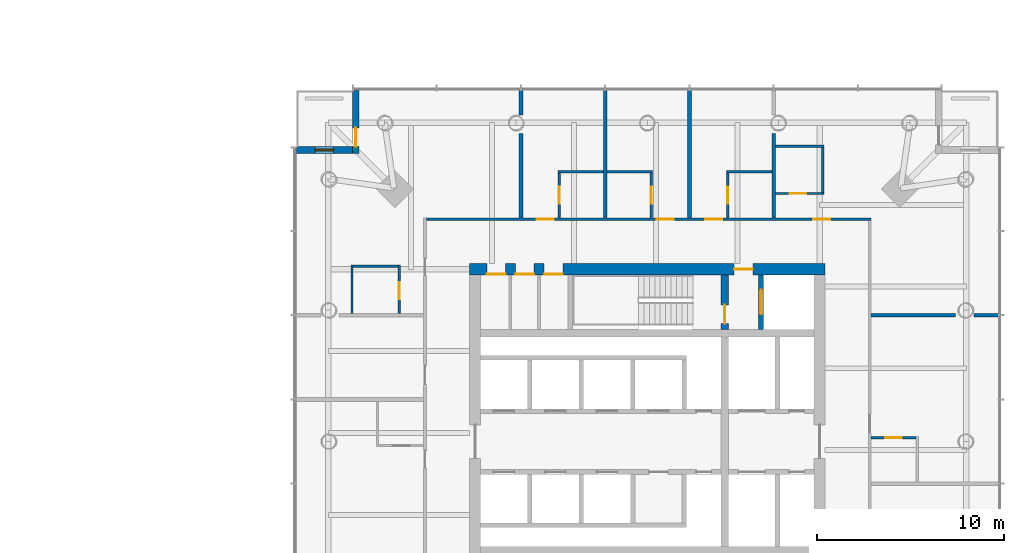
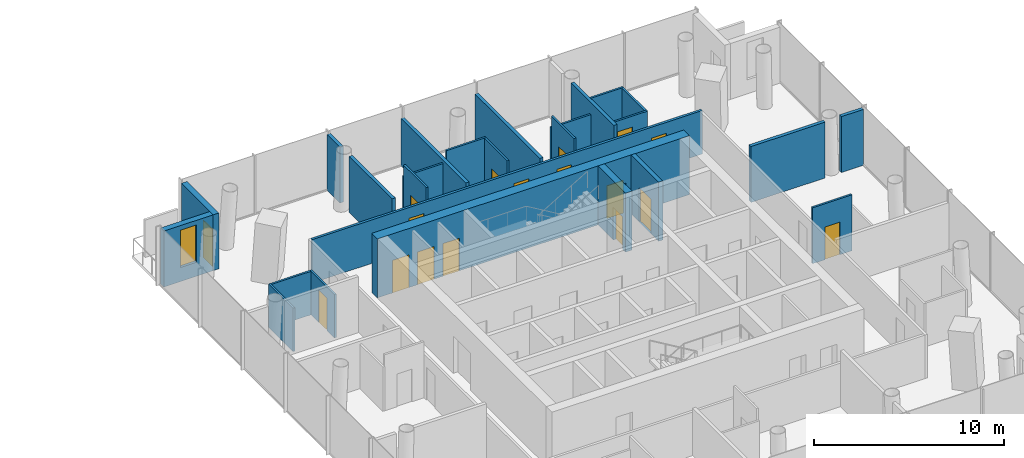
# One storey, part 15 of 26: 26 walls, 17 doors, 1 window, 18 openings.
"""IFC4 building model written with IfcOpenShell, lengths in metres."""

from ifc_helpers import new_model, si_unit, direction, frame, frame_2d, origin, place, context, subcontext, project, spatial, rectangle, extrude, material, layer, layer_set, type_object, element, fill, save


model = new_model("IFC4")

# Units and contexts
model_context = context("Model", 3, precision=1e-05, world=origin(), true_north=direction((0.0, 1.0)))
body_context = subcontext(model_context, "Body", "Model", "MODEL_VIEW")
ifc_project = project(units=[si_unit("LENGTHUNIT", "METRE"), si_unit("AREAUNIT", "SQUARE_METRE"), si_unit("VOLUMEUNIT", "CUBIC_METRE"), si_unit("PLANEANGLEUNIT", "RADIAN"), si_unit("MASSUNIT", "GRAM", prefix="KILO")], contexts=[model_context])

# Site, building, storey
site_placement = place(None, origin())
site = spatial("IfcSite", under=ifc_project, at=site_placement, CompositionType="ELEMENT")
building_placement = place(site_placement, origin())
building = spatial("IfcBuilding", under=site, at=building_placement, Name="Ostroluk Exchange", CompositionType="ELEMENT")
storey_placement = place(building_placement, frame((0.0, 0.0, 66.60009765625)))
storey = spatial("IfcBuildingStorey", under=building, at=storey_placement, Name="L16", CompositionType="ELEMENT", Elevation=66.60009765625)

# Wall, opening, door
ifc_material_1 = material(Name="Concrete C50/60", Category="concrete")
ifc_layer_1 = layer(ifc_material_1, 0.39990234375)
ifc_layer_set_1 = layer_set([ifc_layer_1], Name="Core cross wall 400 C50/60")
wall_type_1 = type_object("IfcWallType", Name="Core cross wall 400 C50/60", PredefinedType="SHEAR", material=ifc_layer_set_1)
wall_1_placement = place(storey_placement, frame((121.1298828125, 52.0, 0.0), z_axis=(0.0, 0.0, 1.0), x_axis=(0.0, 1.0, 0.0)))
wall_1 = element("IfcWall", 1, at=wall_1_placement, inside=storey, type_object=wall_type_1, Name="T2 core wall YE3", PredefinedType="SHEAR", context=body_context, shape_type="SweptSolid", body=[
    extrude(rectangle(XDim=2.89990234375, YDim=0.39990234375, at=frame_2d((1.449951171875, 0.0))), origin(), (0.0, 0.0, 1.0), 3.7998046875),
])
opening_1_placement = place(wall_1_placement, frame((0.300048828125, 0.0, 0.0)))
opening_1 = element("IfcOpeningElement", 2, at=opening_1_placement, cuts=wall_1, Name="Opening FD60", PredefinedType="OPENING", context=body_context, shape_type="SweptSolid", body=[
    extrude(rectangle(XDim=1.0, YDim=2.10009765625, at=frame_2d((0.5, 1.050048828125))), frame((0.0, 0.2099609375, 0.0), z_axis=(0.0, -1.0, 0.0), x_axis=(1.0, 0.0, 0.0)), (0.0, 0.0, 1.0), 0.419921875),
])
ifc_material_2 = material(Name="Steel", Category="steel")
door_type_1 = type_object("IfcDoorType", Name="Fire door EI 60 1000 x 2100", OperationType="SINGLE_SWING_LEFT", PredefinedType="DOOR", material=ifc_material_2)
door_1_placement = place(opening_1_placement, origin())
door_1 = element("IfcDoor", 3, at=door_1_placement, inside=storey, type_object=door_type_1, Name="Stair T2-S2 door", OperationType="SINGLE_SWING_LEFT", OverallHeight=2.10009765625, OverallWidth=1.0, PredefinedType="DOOR", context=body_context, shape_type="SweptSolid", body=[
    extrude(rectangle(XDim=1.0, YDim=2.10009765625, at=frame_2d((0.5, 1.050048828125))), frame((0.0, 0.02490234375, 0.0), z_axis=(0.0, -1.0, 0.0), x_axis=(1.0, 0.0, 0.0)), (0.0, 0.0, 1.0), 0.050048828125),
])
fill(opening_1, door_1)

ifc_material_3 = material(Name="Concrete C40/50", Category="concrete")
ifc_layer_2 = layer(ifc_material_3, 0.25)
ifc_layer_set_2 = layer_set([ifc_layer_2], Name="Core shaft wall 250")
wall_type_2 = type_object("IfcWallType", Name="Core shaft wall 250", PredefinedType="SHEAR", material=ifc_layer_set_2)
wall_2_placement = place(storey_placement, frame((123.074951171875, 52.0, 0.0), z_axis=(0.0, 0.0, 1.0), x_axis=(0.0, 1.0, 0.0)))
wall_2 = element("IfcWall", 4, at=wall_2_placement, inside=storey, type_object=wall_type_2, Name="Firefighting lift shaft wall", PredefinedType="SHEAR", context=body_context, shape_type="SweptSolid", body=[
    extrude(rectangle(XDim=2.89990234375, YDim=0.25, at=frame_2d((1.449951171875, 0.0))), origin(), (0.0, 0.0, 1.0), 3.7998046875),
])
opening_2_placement = place(wall_2_placement, frame((0.800048828125, 0.0, 0.0)))
opening_2 = element("IfcOpeningElement", 5, at=opening_2_placement, cuts=wall_2, Name="Opening LD2", PredefinedType="OPENING", context=body_context, shape_type="SweptSolid", body=[
    extrude(rectangle(XDim=1.300048828125, YDim=2.199951171875, at=frame_2d((0.64990234375, 1.10009765625))), frame((0.0, 0.135009765625, 0.0), z_axis=(0.0, -1.0, 0.0), x_axis=(1.0, 0.0, 0.0)), (0.0, 0.0, 1.0), 0.27001953125),
])
ifc_material_4 = material(Name="Stainless steel", Category="steel")
door_type_2 = type_object("IfcDoorType", Name="Lift landing door E 60 1300 x 2200", OperationType="DOUBLE_DOOR_SLIDING", PredefinedType="DOOR", material=ifc_material_4)
door_2_placement = place(opening_2_placement, origin())
door_2 = element("IfcDoor", 6, at=door_2_placement, inside=storey, type_object=door_type_2, Name="Lift HF2 landing door", OperationType="DOUBLE_DOOR_SLIDING", OverallHeight=2.199951171875, OverallWidth=1.300048828125, PredefinedType="DOOR", context=body_context, shape_type="SweptSolid", body=[
    extrude(rectangle(XDim=1.300048828125, YDim=2.199951171875, at=frame_2d((0.64990234375, 1.10009765625))), frame((0.0, 0.02490234375, 0.0), z_axis=(0.0, -1.0, 0.0), x_axis=(1.0, 0.0, 0.0)), (0.0, 0.0, 1.0), 0.050048828125),
])
fill(opening_2, door_2)

# Wall, openings, doors
ifc_material_5 = material(Name="Concrete C50/60", Category="concrete")
ifc_layer_3 = layer(ifc_material_5, 0.60009765625)
ifc_layer_set_3 = layer_set([ifc_layer_3], Name="Core wall 600 C50/60")
wall_type_3 = type_object("IfcWallType", Name="Core wall 600 C50/60", PredefinedType="SHEAR", material=ifc_layer_set_3)
wall_3_placement = place(storey_placement, frame((107.5, 55.199951171875, 0.0), z_axis=(0.0, 0.0, 1.0), x_axis=(1.0, 0.0, 0.0)))
wall_3 = element("IfcWall", 7, at=wall_3_placement, inside=storey, type_object=wall_type_3, Name="T2 core wall N", PredefinedType="SHEAR", context=body_context, shape_type="SweptSolid", body=[
    extrude(rectangle(XDim=19.0, YDim=0.60009765625, at=frame_2d((9.5, 0.0))), origin(), (0.0, 0.0, 1.0), 3.7998046875),
])
opening_3_placement = place(wall_3_placement, frame((14.139892578125, 0.0, 0.0)))
opening_3 = element("IfcOpeningElement", 8, at=opening_3_placement, cuts=wall_3, Name="Opening FD60", PredefinedType="OPENING", context=body_context, shape_type="SweptSolid", body=[
    extrude(rectangle(XDim=1.0, YDim=2.10009765625, at=frame_2d((0.5, 1.050048828125))), frame((0.0, 0.31005859375, 0.0), z_axis=(0.0, -1.0, 0.0), x_axis=(1.0, 0.0, 0.0)), (0.0, 0.0, 1.0), 0.6201171875),
])
opening_4_placement = place(wall_3_placement, frame((0.930908203125, 0.0, 0.0)))
opening_4 = element("IfcOpeningElement", 9, at=opening_4_placement, cuts=wall_3, Name="Opening FD60", PredefinedType="OPENING", context=body_context, shape_type="SweptSolid", body=[
    extrude(rectangle(XDim=1.0, YDim=2.10009765625, at=frame_2d((0.5, 1.050048828125))), frame((0.0, 0.31005859375, 0.0), z_axis=(0.0, -1.0, 0.0), x_axis=(1.0, 0.0, 0.0)), (0.0, 0.0, 1.0), 0.6201171875),
])
opening_5_placement = place(wall_3_placement, frame((2.4482421875, 0.0, 0.0)))
opening_5 = element("IfcOpeningElement", 10, at=opening_5_placement, cuts=wall_3, Name="Opening FD60", PredefinedType="OPENING", context=body_context, shape_type="SweptSolid", body=[
    extrude(rectangle(XDim=1.0, YDim=2.10009765625, at=frame_2d((0.5, 1.050048828125))), frame((0.0, 0.31005859375, 0.0), z_axis=(0.0, -1.0, 0.0), x_axis=(1.0, 0.0, 0.0)), (0.0, 0.0, 1.0), 0.6201171875),
])
opening_6_placement = place(wall_3_placement, frame((3.982666015625, 0.0, 0.0)))
opening_6 = element("IfcOpeningElement", 11, at=opening_6_placement, cuts=wall_3, Name="Opening FD60", PredefinedType="OPENING", context=body_context, shape_type="SweptSolid", body=[
    extrude(rectangle(XDim=1.0, YDim=2.10009765625, at=frame_2d((0.5, 1.050048828125))), frame((0.0, 0.31005859375, 0.0), z_axis=(0.0, -1.0, 0.0), x_axis=(1.0, 0.0, 0.0)), (0.0, 0.0, 1.0), 0.6201171875),
])
door_3_placement = place(opening_3_placement, origin())
door_3 = element("IfcDoor", 12, at=door_3_placement, inside=storey, type_object=door_type_1, Name="Firefighting lobby door", OperationType="SINGLE_SWING_RIGHT", OverallHeight=2.10009765625, OverallWidth=1.0, PredefinedType="DOOR", context=body_context, shape_type="SweptSolid", body=[
    extrude(rectangle(XDim=1.0, YDim=2.10009765625, at=frame_2d((0.5, 1.050048828125))), frame((0.0, 0.02490234375, 0.0), z_axis=(0.0, -1.0, 0.0), x_axis=(1.0, 0.0, 0.0)), (0.0, 0.0, 1.0), 0.050048828125),
])
fill(opening_3, door_3)
door_4_placement = place(opening_4_placement, origin())
door_4 = element("IfcDoor", 13, at=door_4_placement, inside=storey, type_object=door_type_1, Name="Luggage store door", OperationType="SINGLE_SWING_LEFT", OverallHeight=2.10009765625, OverallWidth=1.0, PredefinedType="DOOR", context=body_context, shape_type="SweptSolid", body=[
    extrude(rectangle(XDim=1.0, YDim=2.10009765625, at=frame_2d((0.5, 1.050048828125))), frame((0.0, -0.23974609375, 0.0), z_axis=(0.0, -1.0, 0.0), x_axis=(1.0, 0.0, 0.0)), (0.0, 0.0, 1.0), 0.050048828125),
])
fill(opening_4, door_4)
door_5_placement = place(opening_5_placement, origin())
door_5 = element("IfcDoor", 14, at=door_5_placement, inside=storey, type_object=door_type_1, Name="Comms room door", OperationType="SINGLE_SWING_LEFT", OverallHeight=2.10009765625, OverallWidth=1.0, PredefinedType="DOOR", context=body_context, shape_type="SweptSolid", body=[
    extrude(rectangle(XDim=1.0, YDim=2.10009765625, at=frame_2d((0.5, 1.050048828125))), frame((0.0, -0.23974609375, 0.0), z_axis=(0.0, -1.0, 0.0), x_axis=(1.0, 0.0, 0.0)), (0.0, 0.0, 1.0), 0.050048828125),
])
fill(opening_5, door_5)
door_6_placement = place(opening_6_placement, origin())
door_6 = element("IfcDoor", 15, at=door_6_placement, inside=storey, type_object=door_type_1, Name="Linen store door", OperationType="SINGLE_SWING_LEFT", OverallHeight=2.10009765625, OverallWidth=1.0, PredefinedType="DOOR", context=body_context, shape_type="SweptSolid", body=[
    extrude(rectangle(XDim=1.0, YDim=2.10009765625, at=frame_2d((0.5, 1.050048828125))), frame((0.0, -0.23974609375, 0.0), z_axis=(0.0, -1.0, 0.0), x_axis=(1.0, 0.0, 0.0)), (0.0, 0.0, 1.0), 0.050048828125),
])
fill(opening_6, door_6)

# Wall, opening, door
ifc_material_6 = material(Name="Limestone", Category="masonry")
ifc_layer_4 = layer(ifc_material_6, 0.35009765625)
ifc_layer_set_4 = layer_set([ifc_layer_4], Name="Limestone facade wall 350")
wall_type_4 = type_object("IfcWallType", Name="Limestone facade wall 350", PredefinedType="SOLIDWALL", material=ifc_layer_set_4)
wall_4_placement = place(storey_placement, frame((101.425048828125, 64.75, 0.0), z_axis=(0.0, 0.0, 1.0), x_axis=(0.0, -1.0, 0.0)))
wall_4 = element("IfcWall", 16, at=wall_4_placement, inside=storey, type_object=wall_type_4, Name="Hotel tower NW corner wall L16 a", PredefinedType="SOLIDWALL", context=body_context, shape_type="SweptSolid", body=[
    extrude(rectangle(XDim=3.35009765625, YDim=0.35009765625, at=frame_2d((1.675048828125, 0.0))), origin(), (0.0, 0.0, 1.0), 3.599853515625),
])
opening_7_placement = place(wall_4_placement, frame((2.0, 0.0, 0.0)))
opening_7 = element("IfcOpeningElement", 17, at=opening_7_placement, cuts=wall_4, Name="Opening D-B1", PredefinedType="OPENING", context=body_context, shape_type="SweptSolid", body=[
    extrude(rectangle(XDim=1.0, YDim=2.39990234375, at=frame_2d((0.5, 1.199951171875))), frame((0.0, 0.18505859375, 0.0), z_axis=(0.0, -1.0, 0.0), x_axis=(1.0, 0.0, 0.0)), (0.0, 0.0, 1.0), 0.3701171875),
])
ifc_material_7 = material(Name="Bronze framed glazed door", Category="aluminium")
door_type_3 = type_object("IfcDoorType", Name="Balcony door 1000 x 2400", OperationType="SINGLE_SWING_LEFT", PredefinedType="DOOR", material=ifc_material_7)
door_7_placement = place(opening_7_placement, origin())
door_7 = element("IfcDoor", 18, at=door_7_placement, inside=storey, type_object=door_type_3, Name="Hotel tower NW balcony door L16", OperationType="SINGLE_SWING_RIGHT", OverallHeight=2.39990234375, OverallWidth=1.0, PredefinedType="DOOR", context=body_context, shape_type="SweptSolid", body=[
    extrude(rectangle(XDim=1.0, YDim=2.39990234375, at=frame_2d((0.5, 1.199951171875))), frame((0.0, 0.02490234375, 0.0), z_axis=(0.0, -1.0, 0.0), x_axis=(1.0, 0.0, 0.0)), (0.0, 0.0, 1.0), 0.050048828125),
])
fill(opening_7, door_7)

# Wall, opening, window
wall_5_placement = place(storey_placement, frame((101.25, 61.574951171875, 0.0), z_axis=(0.0, 0.0, 1.0), x_axis=(-1.0, 0.0, 0.0)))
wall_5 = element("IfcWall", 19, at=wall_5_placement, inside=storey, type_object=wall_type_4, Name="Hotel tower NW corner wall L16 b", PredefinedType="SOLIDWALL", context=body_context, shape_type="SweptSolid", body=[
    extrude(rectangle(XDim=3.0, YDim=0.35009765625, at=frame_2d((1.5, 0.0))), origin(), (0.0, 0.0, 1.0), 3.599853515625),
])
opening_8_placement = place(wall_5_placement, frame((1.0, 0.0, 0.89990234375)))
opening_8 = element("IfcOpeningElement", 20, at=opening_8_placement, cuts=wall_5, Name="Opening WN-L3", PredefinedType="OPENING", context=body_context, shape_type="SweptSolid", body=[
    extrude(rectangle(XDim=1.0, YDim=2.39990234375, at=frame_2d((0.5, 1.199951171875))), frame((0.0, 0.18505859375, 0.0), z_axis=(0.0, -1.0, 0.0), x_axis=(1.0, 0.0, 0.0)), (0.0, 0.0, 1.0), 0.3701171875),
])
ifc_material_8 = material(Name="Laminated clear glass", Category="glass")
window_type = type_object("IfcWindowType", Name="Hotel lancet window 1000 x 2400", PartitioningType="SINGLE_PANEL", PredefinedType="WINDOW", material=ifc_material_8)
window_placement = place(opening_8_placement, origin())
window = element("IfcWindow", 21, at=window_placement, inside=storey, type_object=window_type, Name="Hotel tower NW lancet window L16", OverallHeight=2.39990234375, OverallWidth=1.0, PartitioningType="SINGLE_PANEL", PredefinedType="WINDOW", context=body_context, shape_type="SweptSolid", body=[
    extrude(rectangle(XDim=1.0, YDim=2.39990234375, at=frame_2d((0.5, 1.199951171875))), frame((0.0, 0.030029296875, 0.0), z_axis=(0.0, -1.0, 0.0), x_axis=(1.0, 0.0, 0.0)), (0.0, 0.0, 1.0), 0.06005859375),
])
fill(opening_8, window)

# Wall, opening, door
ifc_material_9 = material(Name="Gypsum plasterboard partition, moisture resistant", Category="gypsum")
ifc_layer_5 = layer(ifc_material_9, 0.1201171875)
ifc_layer_set_5 = layer_set([ifc_layer_5], Name="Plasterboard en-suite wall 120")
wall_type_5 = type_object("IfcWallType", Name="Plasterboard en-suite wall 120", PredefinedType="PARTITIONING", material=ifc_layer_set_5)
wall_6_placement = place(storey_placement, frame((128.949951171875, 46.2099609375, 0.0), z_axis=(0.0, 0.0, 1.0), x_axis=(1.0, 0.0, 0.0)))
wall_6 = element("IfcWall", 22, at=wall_6_placement, inside=storey, type_object=wall_type_5, Name="En-suite wall", PredefinedType="PARTITIONING", context=body_context, shape_type="SweptSolid", body=[
    extrude(rectangle(XDim=2.400146484375, YDim=0.1201171875, at=frame_2d((1.2001953125, 0.0))), origin(), (0.0, 0.0, 1.0), 3.599853515625),
])
opening_9_placement = place(wall_6_placement, frame((0.75, 0.0, 0.0)))
opening_9 = element("IfcOpeningElement", 23, at=opening_9_placement, cuts=wall_6, Name="Opening D-02", PredefinedType="OPENING", context=body_context, shape_type="SweptSolid", body=[
    extrude(rectangle(XDim=0.89990234375, YDim=2.10009765625, at=frame_2d((0.449951171875, 1.050048828125))), frame((0.0, 0.070068359375, 0.0), z_axis=(0.0, -1.0, 0.0), x_axis=(1.0, 0.0, 0.0)), (0.0, 0.0, 1.0), 0.14013671875),
])
ifc_material_10 = material(Name="Timber", Category="wood")
door_type_4 = type_object("IfcDoorType", Name="En-suite door 900 x 2100", OperationType="SINGLE_SWING_LEFT", PredefinedType="DOOR", material=ifc_material_10)
door_8_placement = place(opening_9_placement, origin())
door_8 = element("IfcDoor", 24, at=door_8_placement, inside=storey, type_object=door_type_4, Name="En-suite door 1602", OperationType="SINGLE_SWING_LEFT", OverallHeight=2.10009765625, OverallWidth=0.89990234375, PredefinedType="DOOR", context=body_context, shape_type="SweptSolid", body=[
    extrude(rectangle(XDim=0.89990234375, YDim=2.10009765625, at=frame_2d((0.449951171875, 1.050048828125))), frame((0.0, 0.02490234375, 0.0), z_axis=(0.0, -1.0, 0.0), x_axis=(1.0, 0.0, 0.0)), (0.0, 0.0, 1.0), 0.050048828125),
])
fill(opening_9, door_8)

wall_7_placement = place(storey_placement, frame((123.85009765625, 59.25, 0.0), z_axis=(0.0, 0.0, 1.0), x_axis=(1.0, 0.0, 0.0)))
wall_7 = element("IfcWall", 25, at=wall_7_placement, inside=storey, type_object=wall_type_5, Name="En-suite wall", PredefinedType="PARTITIONING", context=body_context, shape_type="SweptSolid", body=[
    extrude(rectangle(XDim=2.579833984375, YDim=0.1201171875, at=frame_2d((1.2900390625, 0.0))), origin(), (0.0, 0.0, 1.0), 2.7998046875),
])
opening_10_placement = place(wall_7_placement, frame((0.75, 0.0, 0.0)))
opening_10 = element("IfcOpeningElement", 26, at=opening_10_placement, cuts=wall_7, Name="Opening D-02", PredefinedType="OPENING", context=body_context, shape_type="SweptSolid", body=[
    extrude(rectangle(XDim=0.89990234375, YDim=2.10009765625, at=frame_2d((0.449951171875, 1.050048828125))), frame((0.0, 0.070068359375, 0.0), z_axis=(0.0, -1.0, 0.0), x_axis=(1.0, 0.0, 0.0)), (0.0, 0.0, 1.0), 0.14013671875),
])
door_9_placement = place(opening_10_placement, origin())
door_9 = element("IfcDoor", 27, at=door_9_placement, inside=storey, type_object=door_type_4, Name="En-suite door 1603", OperationType="SINGLE_SWING_LEFT", OverallHeight=2.10009765625, OverallWidth=0.89990234375, PredefinedType="DOOR", context=body_context, shape_type="SweptSolid", body=[
    extrude(rectangle(XDim=0.89990234375, YDim=2.10009765625, at=frame_2d((0.449951171875, 1.050048828125))), frame((0.0, 0.02490234375, 0.0), z_axis=(0.0, -1.0, 0.0), x_axis=(1.0, 0.0, 0.0)), (0.0, 0.0, 1.0), 0.050048828125),
])
fill(opening_10, door_9)

# Walls
wall_8_placement = place(storey_placement, frame((123.85009765625, 61.77001953125, 0.0), z_axis=(0.0, 0.0, 1.0), x_axis=(1.0, 0.0, 0.0)))
element("IfcWall", 28, at=wall_8_placement, inside=storey, type_object=wall_type_5, Name="En-suite wall", PredefinedType="PARTITIONING", context=body_context, shape_type="SweptSolid", body=[
    extrude(rectangle(XDim=2.579833984375, YDim=0.1201171875, at=frame_2d((1.2900390625, 0.0))), origin(), (0.0, 0.0, 1.0), 2.7998046875),
])
wall_9_placement = place(storey_placement, frame((126.3701171875, 59.31005859375, 0.0), z_axis=(0.0, 0.0, 1.0), x_axis=(0.0, 1.0, 0.0)))
element("IfcWall", 29, at=wall_9_placement, inside=storey, type_object=wall_type_5, Name="En-suite wall", PredefinedType="PARTITIONING", context=body_context, shape_type="SweptSolid", body=[
    extrude(rectangle(XDim=2.39990234375, YDim=0.1201171875, at=frame_2d((1.199951171875, 0.0))), origin(), (0.0, 0.0, 1.0), 2.7998046875),
])
wall_10_placement = place(storey_placement, frame((123.64990234375, 60.409912109375, 0.0), z_axis=(0.0, 0.0, 1.0), x_axis=(-1.0, 0.0, 0.0)))
element("IfcWall", 30, at=wall_10_placement, inside=storey, type_object=wall_type_5, Name="En-suite wall", PredefinedType="PARTITIONING", context=body_context, shape_type="SweptSolid", body=[
    extrude(rectangle(XDim=2.419921875, YDim=0.1201171875, at=frame_2d((1.2099609375, 0.0))), origin(), (0.0, 0.0, 1.0), 2.846923828125),
])

# Wall, opening, door
wall_11_placement = place(storey_placement, frame((121.2900390625, 57.949951171875, 0.0), z_axis=(0.0, 0.0, 1.0), x_axis=(0.0, 1.0, 0.0)))
wall_11 = element("IfcWall", 31, at=wall_11_placement, inside=storey, type_object=wall_type_5, Name="En-suite wall", PredefinedType="PARTITIONING", context=body_context, shape_type="SweptSolid", body=[
    extrude(rectangle(XDim=2.400146484375, YDim=0.1201171875, at=frame_2d((1.2001953125, 0.0))), origin(), (0.0, 0.0, 1.0), 3.599853515625),
])
opening_11_placement = place(wall_11_placement, frame((0.75, 0.0, 0.0)))
opening_11 = element("IfcOpeningElement", 32, at=opening_11_placement, cuts=wall_11, Name="Opening D-02", PredefinedType="OPENING", context=body_context, shape_type="SweptSolid", body=[
    extrude(rectangle(XDim=0.89990234375, YDim=2.10009765625, at=frame_2d((0.449951171875, 1.050048828125))), frame((0.0, 0.070068359375, 0.0), z_axis=(0.0, -1.0, 0.0), x_axis=(1.0, 0.0, 0.0)), (0.0, 0.0, 1.0), 0.14013671875),
])
door_10_placement = place(opening_11_placement, origin())
door_10 = element("IfcDoor", 33, at=door_10_placement, inside=storey, type_object=door_type_4, Name="En-suite door 1604", OperationType="SINGLE_SWING_RIGHT", OverallHeight=2.10009765625, OverallWidth=0.89990234375, PredefinedType="DOOR", context=body_context, shape_type="SweptSolid", body=[
    extrude(rectangle(XDim=0.89990234375, YDim=2.10009765625, at=frame_2d((0.449951171875, 1.050048828125))), frame((0.0, 0.02490234375, 0.0), z_axis=(0.0, -1.0, 0.0), x_axis=(1.0, 0.0, 0.0)), (0.0, 0.0, 1.0), 0.050048828125),
])
fill(opening_11, door_10)

# Wall
wall_12_placement = place(storey_placement, frame((117.27001953125, 60.409912109375, 0.0), z_axis=(0.0, 0.0, 1.0), x_axis=(-1.0, 0.0, 0.0)))
element("IfcWall", 34, at=wall_12_placement, inside=storey, type_object=wall_type_5, Name="En-suite wall", PredefinedType="PARTITIONING", context=body_context, shape_type="SweptSolid", body=[
    extrude(rectangle(XDim=2.419921875, YDim=0.1201171875, at=frame_2d((1.2099609375, 0.0))), origin(), (0.0, 0.0, 1.0), 3.599853515625),
])

# Wall, opening, door
wall_13_placement = place(storey_placement, frame((117.2099609375, 57.949951171875, 0.0), z_axis=(0.0, 0.0, 1.0), x_axis=(0.0, 1.0, 0.0)))
wall_13 = element("IfcWall", 35, at=wall_13_placement, inside=storey, type_object=wall_type_5, Name="En-suite wall", PredefinedType="PARTITIONING", context=body_context, shape_type="SweptSolid", body=[
    extrude(rectangle(XDim=2.400146484375, YDim=0.1201171875, at=frame_2d((1.2001953125, 0.0))), origin(), (0.0, 0.0, 1.0), 3.599853515625),
])
opening_12_placement = place(wall_13_placement, frame((0.75, 0.0, 0.0)))
opening_12 = element("IfcOpeningElement", 36, at=opening_12_placement, cuts=wall_13, Name="Opening D-02", PredefinedType="OPENING", context=body_context, shape_type="SweptSolid", body=[
    extrude(rectangle(XDim=0.89990234375, YDim=2.10009765625, at=frame_2d((0.449951171875, 1.050048828125))), frame((0.0, 0.070068359375, 0.0), z_axis=(0.0, -1.0, 0.0), x_axis=(1.0, 0.0, 0.0)), (0.0, 0.0, 1.0), 0.14013671875),
])
door_11_placement = place(opening_12_placement, origin())
door_11 = element("IfcDoor", 37, at=door_11_placement, inside=storey, type_object=door_type_4, Name="En-suite door 1605", OperationType="SINGLE_SWING_RIGHT", OverallHeight=2.10009765625, OverallWidth=0.89990234375, PredefinedType="DOOR", context=body_context, shape_type="SweptSolid", body=[
    extrude(rectangle(XDim=0.89990234375, YDim=2.10009765625, at=frame_2d((0.449951171875, 1.050048828125))), frame((0.0, 0.02490234375, 0.0), z_axis=(0.0, -1.0, 0.0), x_axis=(1.0, 0.0, 0.0)), (0.0, 0.0, 1.0), 0.050048828125),
])
fill(opening_12, door_11)

# Wall
wall_14_placement = place(storey_placement, frame((114.64990234375, 60.409912109375, 0.0), z_axis=(0.0, 0.0, 1.0), x_axis=(-1.0, 0.0, 0.0)))
element("IfcWall", 38, at=wall_14_placement, inside=storey, type_object=wall_type_5, Name="En-suite wall", PredefinedType="PARTITIONING", context=body_context, shape_type="SweptSolid", body=[
    extrude(rectangle(XDim=2.419921875, YDim=0.1201171875, at=frame_2d((1.2099609375, 0.0))), origin(), (0.0, 0.0, 1.0), 2.846923828125),
])

# Wall, opening, door
wall_15_placement = place(storey_placement, frame((112.2900390625, 57.949951171875, 0.0), z_axis=(0.0, 0.0, 1.0), x_axis=(0.0, 1.0, 0.0)))
wall_15 = element("IfcWall", 39, at=wall_15_placement, inside=storey, type_object=wall_type_5, Name="En-suite wall", PredefinedType="PARTITIONING", context=body_context, shape_type="SweptSolid", body=[
    extrude(rectangle(XDim=2.400146484375, YDim=0.1201171875, at=frame_2d((1.2001953125, 0.0))), origin(), (0.0, 0.0, 1.0), 3.599853515625),
])
opening_13_placement = place(wall_15_placement, frame((0.75, 0.0, 0.0)))
opening_13 = element("IfcOpeningElement", 40, at=opening_13_placement, cuts=wall_15, Name="Opening D-02", PredefinedType="OPENING", context=body_context, shape_type="SweptSolid", body=[
    extrude(rectangle(XDim=0.89990234375, YDim=2.10009765625, at=frame_2d((0.449951171875, 1.050048828125))), frame((0.0, 0.070068359375, 0.0), z_axis=(0.0, -1.0, 0.0), x_axis=(1.0, 0.0, 0.0)), (0.0, 0.0, 1.0), 0.14013671875),
])
door_12_placement = place(opening_13_placement, origin())
door_12 = element("IfcDoor", 41, at=door_12_placement, inside=storey, type_object=door_type_4, Name="En-suite door 1606", OperationType="SINGLE_SWING_RIGHT", OverallHeight=2.10009765625, OverallWidth=0.89990234375, PredefinedType="DOOR", context=body_context, shape_type="SweptSolid", body=[
    extrude(rectangle(XDim=0.89990234375, YDim=2.10009765625, at=frame_2d((0.449951171875, 1.050048828125))), frame((0.0, 0.02490234375, 0.0), z_axis=(0.0, -1.0, 0.0), x_axis=(1.0, 0.0, 0.0)), (0.0, 0.0, 1.0), 0.050048828125),
])
fill(opening_13, door_12)

wall_16_placement = place(storey_placement, frame((103.75, 52.85009765625, 0.0), z_axis=(0.0, 0.0, 1.0), x_axis=(0.0, 1.0, 0.0)))
wall_16 = element("IfcWall", 42, at=wall_16_placement, inside=storey, type_object=wall_type_5, Name="En-suite wall", PredefinedType="PARTITIONING", context=body_context, shape_type="SweptSolid", body=[
    extrude(rectangle(XDim=2.579833984375, YDim=0.1201171875, at=frame_2d((1.2900390625, 0.0))), origin(), (0.0, 0.0, 1.0), 2.7998046875),
])
opening_14_placement = place(wall_16_placement, frame((0.75, 0.0, 0.0)))
opening_14 = element("IfcOpeningElement", 43, at=opening_14_placement, cuts=wall_16, Name="Opening D-02", PredefinedType="OPENING", context=body_context, shape_type="SweptSolid", body=[
    extrude(rectangle(XDim=0.89990234375, YDim=2.10009765625, at=frame_2d((0.449951171875, 1.050048828125))), frame((0.0, 0.070068359375, 0.0), z_axis=(0.0, -1.0, 0.0), x_axis=(1.0, 0.0, 0.0)), (0.0, 0.0, 1.0), 0.14013671875),
])
door_13_placement = place(opening_14_placement, origin())
door_13 = element("IfcDoor", 44, at=door_13_placement, inside=storey, type_object=door_type_4, Name="En-suite door 1607", OperationType="SINGLE_SWING_LEFT", OverallHeight=2.10009765625, OverallWidth=0.89990234375, PredefinedType="DOOR", context=body_context, shape_type="SweptSolid", body=[
    extrude(rectangle(XDim=0.89990234375, YDim=2.10009765625, at=frame_2d((0.449951171875, 1.050048828125))), frame((0.0, 0.02490234375, 0.0), z_axis=(0.0, -1.0, 0.0), x_axis=(1.0, 0.0, 0.0)), (0.0, 0.0, 1.0), 0.050048828125),
])
fill(opening_14, door_13)

# Walls
wall_17_placement = place(storey_placement, frame((101.22998046875, 52.85009765625, 0.0), z_axis=(0.0, 0.0, 1.0), x_axis=(0.0, 1.0, 0.0)))
element("IfcWall", 45, at=wall_17_placement, inside=storey, type_object=wall_type_5, Name="En-suite wall", PredefinedType="PARTITIONING", context=body_context, shape_type="SweptSolid", body=[
    extrude(rectangle(XDim=2.579833984375, YDim=0.1201171875, at=frame_2d((1.2900390625, 0.0))), origin(), (0.0, 0.0, 1.0), 2.7998046875),
])
wall_18_placement = place(storey_placement, frame((103.68994140625, 55.3701171875, 0.0), z_axis=(0.0, 0.0, 1.0), x_axis=(-1.0, 0.0, 0.0)))
element("IfcWall", 46, at=wall_18_placement, inside=storey, type_object=wall_type_5, Name="En-suite wall", PredefinedType="PARTITIONING", context=body_context, shape_type="SweptSolid", body=[
    extrude(rectangle(XDim=2.39990234375, YDim=0.1201171875, at=frame_2d((1.199951171875, 0.0))), origin(), (0.0, 0.0, 1.0), 2.7998046875),
])

# Wall, openings, doors
ifc_material_11 = material(Name="Gypsum plasterboard partition", Category="gypsum")
ifc_layer_6 = layer(ifc_material_11, 0.14990234375)
ifc_layer_set_6 = layer_set([ifc_layer_6], Name="Plasterboard partition 150")
wall_type_6 = type_object("IfcWallType", Name="Plasterboard partition 150", PredefinedType="PARTITIONING", material=ifc_layer_set_6)
wall_19_placement = place(storey_placement, frame((128.949951171875, 57.875, 0.0), z_axis=(0.0, 0.0, 1.0), x_axis=(-1.0, 0.0, 0.0)))
wall_19 = element("IfcWall", 47, at=wall_19_placement, inside=storey, type_object=wall_type_6, Name="Corridor wall", PredefinedType="PARTITIONING", context=body_context, shape_type="SweptSolid", body=[
    extrude(rectangle(XDim=23.75, YDim=0.14990234375, at=frame_2d((11.875, 0.0))), origin(), (0.0, 0.0, 1.0), 2.7998046875),
])
opening_15_placement = place(wall_19_placement, frame((2.175048828125, 0.0, 0.0)))
opening_15 = element("IfcOpeningElement", 48, at=opening_15_placement, cuts=wall_19, Name="Opening D-01", PredefinedType="OPENING", context=body_context, shape_type="SweptSolid", body=[
    extrude(rectangle(XDim=0.89990234375, YDim=2.10009765625, at=frame_2d((0.449951171875, 1.050048828125))), frame((0.0, 0.0849609375, 0.0), z_axis=(0.0, -1.0, 0.0), x_axis=(1.0, 0.0, 0.0)), (0.0, 0.0, 1.0), 0.169921875),
])
opening_16_placement = place(wall_19_placement, frame((7.949951171875, 0.0, 0.0)))
opening_16 = element("IfcOpeningElement", 49, at=opening_16_placement, cuts=wall_19, Name="Opening D-01", PredefinedType="OPENING", context=body_context, shape_type="SweptSolid", body=[
    extrude(rectangle(XDim=0.89990234375, YDim=2.10009765625, at=frame_2d((0.449951171875, 1.050048828125))), frame((0.0, 0.0849609375, 0.0), z_axis=(0.0, -1.0, 0.0), x_axis=(1.0, 0.0, 0.0)), (0.0, 0.0, 1.0), 0.169921875),
])
opening_17_placement = place(wall_19_placement, frame((10.550048828125, 0.0, 0.0)))
opening_17 = element("IfcOpeningElement", 50, at=opening_17_placement, cuts=wall_19, Name="Opening D-01", PredefinedType="OPENING", context=body_context, shape_type="SweptSolid", body=[
    extrude(rectangle(XDim=0.89990234375, YDim=2.10009765625, at=frame_2d((0.449951171875, 1.050048828125))), frame((0.0, 0.0849609375, 0.0), z_axis=(0.0, -1.0, 0.0), x_axis=(1.0, 0.0, 0.0)), (0.0, 0.0, 1.0), 0.169921875),
])
opening_18_placement = place(wall_19_placement, frame((16.949951171875, 0.0, 0.0)))
opening_18 = element("IfcOpeningElement", 51, at=opening_18_placement, cuts=wall_19, Name="Opening D-01", PredefinedType="OPENING", context=body_context, shape_type="SweptSolid", body=[
    extrude(rectangle(XDim=0.89990234375, YDim=2.10009765625, at=frame_2d((0.449951171875, 1.050048828125))), frame((0.0, 0.0849609375, 0.0), z_axis=(0.0, -1.0, 0.0), x_axis=(1.0, 0.0, 0.0)), (0.0, 0.0, 1.0), 0.169921875),
])
ifc_material_12 = material(Name="Timber", Category="wood")
door_type_5 = type_object("IfcDoorType", Name="Hotel room door EI 30 Sa 900 x 2100", OperationType="SINGLE_SWING_LEFT", PredefinedType="DOOR", material=ifc_material_12)
door_14_placement = place(opening_15_placement, origin())
door_14 = element("IfcDoor", 52, at=door_14_placement, inside=storey, type_object=door_type_5, Name="Room door 1603", OperationType="SINGLE_SWING_LEFT", OverallHeight=2.10009765625, OverallWidth=0.89990234375, PredefinedType="DOOR", context=body_context, shape_type="SweptSolid", body=[
    extrude(rectangle(XDim=0.89990234375, YDim=2.10009765625, at=frame_2d((0.449951171875, 1.050048828125))), frame((0.0, 0.02490234375, 0.0), z_axis=(0.0, -1.0, 0.0), x_axis=(1.0, 0.0, 0.0)), (0.0, 0.0, 1.0), 0.050048828125),
])
fill(opening_15, door_14)
door_15_placement = place(opening_16_placement, origin())
door_15 = element("IfcDoor", 53, at=door_15_placement, inside=storey, type_object=door_type_5, Name="Room door 1604", OperationType="SINGLE_SWING_LEFT", OverallHeight=2.10009765625, OverallWidth=0.89990234375, PredefinedType="DOOR", context=body_context, shape_type="SweptSolid", body=[
    extrude(rectangle(XDim=0.89990234375, YDim=2.10009765625, at=frame_2d((0.449951171875, 1.050048828125))), frame((0.0, 0.02490234375, 0.0), z_axis=(0.0, -1.0, 0.0), x_axis=(1.0, 0.0, 0.0)), (0.0, 0.0, 1.0), 0.050048828125),
])
fill(opening_16, door_15)
door_16_placement = place(opening_17_placement, origin())
door_16 = element("IfcDoor", 54, at=door_16_placement, inside=storey, type_object=door_type_5, Name="Room door 1605", OperationType="SINGLE_SWING_LEFT", OverallHeight=2.10009765625, OverallWidth=0.89990234375, PredefinedType="DOOR", context=body_context, shape_type="SweptSolid", body=[
    extrude(rectangle(XDim=0.89990234375, YDim=2.10009765625, at=frame_2d((0.449951171875, 1.050048828125))), frame((0.0, 0.02490234375, 0.0), z_axis=(0.0, -1.0, 0.0), x_axis=(1.0, 0.0, 0.0)), (0.0, 0.0, 1.0), 0.050048828125),
])
fill(opening_17, door_16)
door_17_placement = place(opening_18_placement, origin())
door_17 = element("IfcDoor", 55, at=door_17_placement, inside=storey, type_object=door_type_5, Name="Room door 1606", OperationType="SINGLE_SWING_RIGHT", OverallHeight=2.10009765625, OverallWidth=0.89990234375, PredefinedType="DOOR", context=body_context, shape_type="SweptSolid", body=[
    extrude(rectangle(XDim=0.89990234375, YDim=2.10009765625, at=frame_2d((0.449951171875, 1.050048828125))), frame((0.0, 0.02490234375, 0.0), z_axis=(0.0, -1.0, 0.0), x_axis=(1.0, 0.0, 0.0)), (0.0, 0.0, 1.0), 0.050048828125),
])
fill(opening_18, door_17)

# Walls
ifc_material_13 = material(Name="Gypsum plasterboard partition", Category="gypsum")
ifc_layer_7 = layer(ifc_material_13, 0.199951171875)
ifc_layer_set_7 = layer_set([ifc_layer_7], Name="Plasterboard party wall 200")
wall_type_7 = type_object("IfcWallType", Name="Plasterboard party wall 200", PredefinedType="PARTITIONING", material=ifc_layer_set_7)
wall_20_placement = place(storey_placement, frame((128.949951171875, 52.75, 0.0), z_axis=(0.0, 0.0, 1.0), x_axis=(1.0, 0.0, 0.0)))
element("IfcWall", 56, at=wall_20_placement, inside=storey, type_object=wall_type_7, Name="Party wall", PredefinedType="PARTITIONING", context=body_context, shape_type="SweptSolid", body=[
    extrude(rectangle(XDim=4.51416015625, YDim=0.199951171875, at=frame_2d((2.257080078125, 0.0))), origin(), (0.0, 0.0, 1.0), 3.599853515625),
])
wall_21_placement = place(storey_placement, frame((134.44091796875, 52.75, 0.0), z_axis=(0.0, 0.0, 1.0), x_axis=(1.0, 0.0, 0.0)))
element("IfcWall", 57, at=wall_21_placement, inside=storey, type_object=wall_type_7, Name="Party wall", PredefinedType="PARTITIONING", context=body_context, shape_type="SweptSolid", body=[
    extrude(rectangle(XDim=1.34912109375, YDim=0.199951171875, at=frame_2d((0.674560546875, 0.0))), origin(), (0.0, 0.0, 1.0), 3.599853515625),
])
wall_22_placement = place(storey_placement, frame((123.75, 57.949951171875, 0.0), z_axis=(0.0, 0.0, 1.0), x_axis=(0.0, 1.0, 0.0)))
element("IfcWall", 58, at=wall_22_placement, inside=storey, type_object=wall_type_7, Name="Party wall", PredefinedType="PARTITIONING", context=body_context, shape_type="SweptSolid", body=[
    extrude(rectangle(XDim=4.51416015625, YDim=0.199951171875, at=frame_2d((2.257080078125, 0.0))), origin(), (0.0, 0.0, 1.0), 3.599853515625),
])
for number, where, z_axis, x_axis, name in (
    (59, (119.25, 57.949951171875, 0.0), (0.0, 0.0, 1.0), (0.0, 1.0, 0.0), "Party wall"),
    (60, (114.75, 57.949951171875, 0.0), (0.0, 0.0, 1.0), (0.0, 1.0, 0.0), "Party wall"),
):
    element("IfcWall", number, at=place(storey_placement, frame(where, z_axis=z_axis, x_axis=x_axis)), inside=storey, type_object=wall_type_7, Name=name, PredefinedType="PARTITIONING", context=body_context, shape_type="SweptSolid", body=[
        extrude(rectangle(XDim=6.840087890625, YDim=0.199951171875, at=frame_2d((3.419921875, 0.0))), origin(), (0.0, 0.0, 1.0), 3.0498046875),
    ])
wall_23_placement = place(storey_placement, frame((110.25, 57.949951171875, 0.0), z_axis=(0.0, 0.0, 1.0), x_axis=(0.0, 1.0, 0.0)))
element("IfcWall", 61, at=wall_23_placement, inside=storey, type_object=wall_type_7, Name="Party wall", PredefinedType="PARTITIONING", context=body_context, shape_type="SweptSolid", body=[
    extrude(rectangle(XDim=4.51416015625, YDim=0.199951171875, at=frame_2d((2.257080078125, 0.0))), origin(), (0.0, 0.0, 1.0), 3.599853515625),
])
wall_24_placement = place(storey_placement, frame((110.25, 63.44091796875, 0.0), z_axis=(0.0, 0.0, 1.0), x_axis=(0.0, 1.0, 0.0)))
element("IfcWall", 62, at=wall_24_placement, inside=storey, type_object=wall_type_7, Name="Party wall", PredefinedType="PARTITIONING", context=body_context, shape_type="SweptSolid", body=[
    extrude(rectangle(XDim=1.34912109375, YDim=0.199951171875, at=frame_2d((0.674560546875, 0.0))), origin(), (0.0, 0.0, 1.0), 3.599853515625),
])

save(model, "model.ifc")
